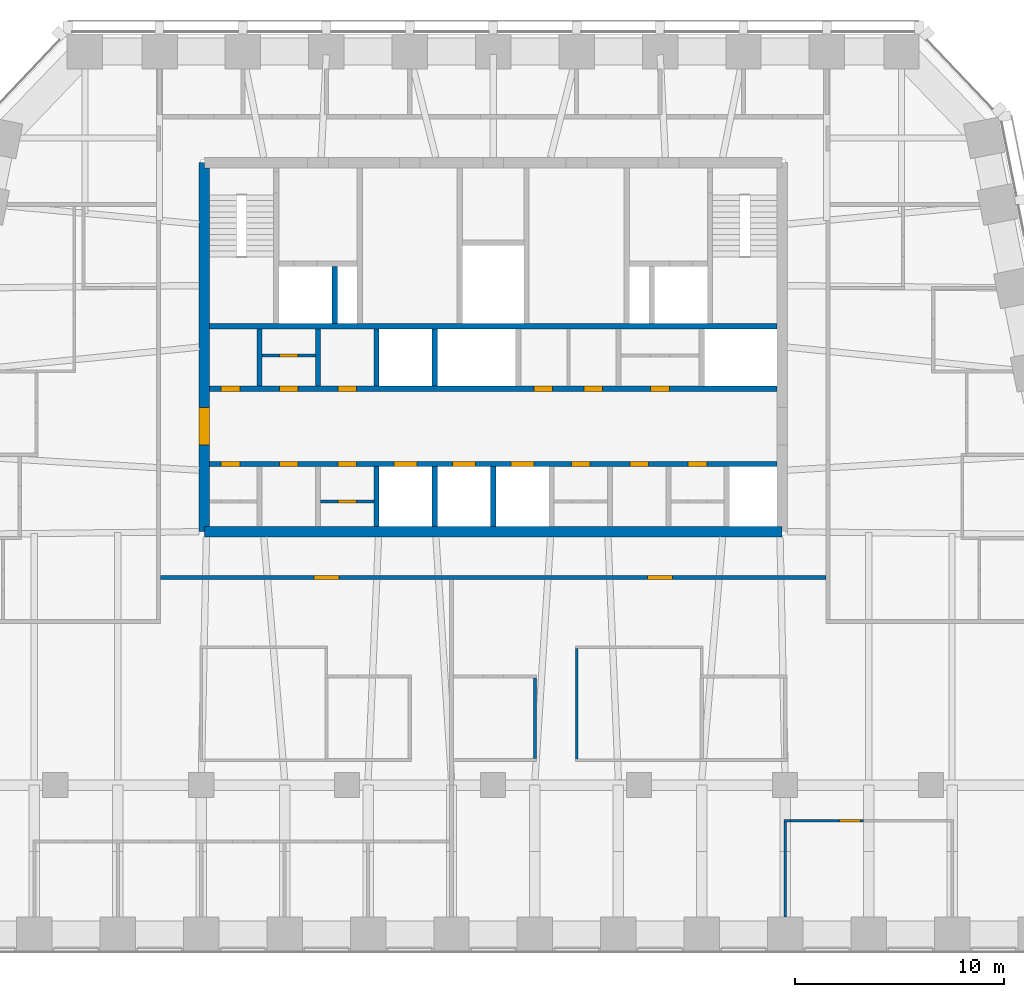
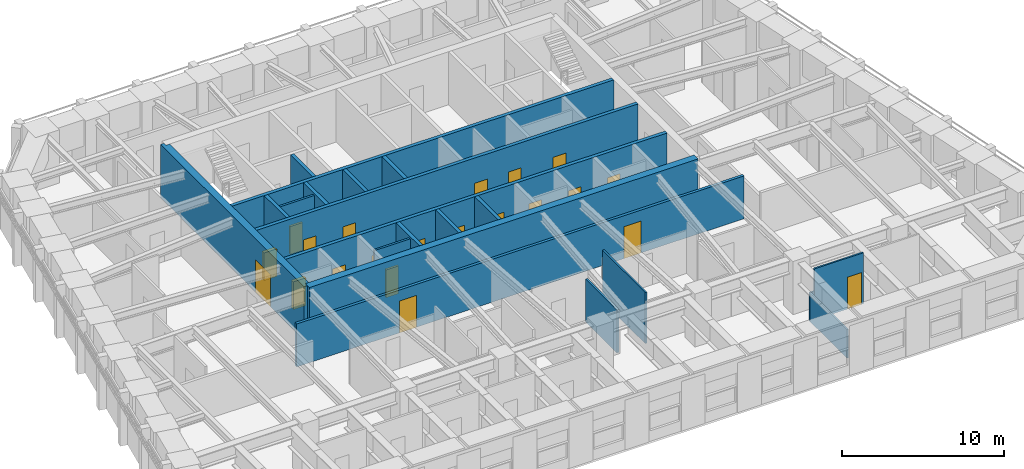
# One storey, part 7 of 11: 21 doors, 21 walls, 21 openings.
"""IFC4 building model written with IfcOpenShell, lengths in metres."""

from ifc_helpers import new_model, si_unit, direction, frame, frame_2d, origin, place, context, subcontext, project, spatial, polyline, rectangle, outline, extrude, material, layer, layer_set, type_object, element, fill, save


model = new_model("IFC4")

# Units and contexts
model_context = context("Model", 3, precision=1e-05, world=origin(), true_north=direction((0.0, 1.0)))
body_context = subcontext(model_context, "Body", "Model", "MODEL_VIEW")
ifc_project = project(units=[si_unit("LENGTHUNIT", "METRE"), si_unit("AREAUNIT", "SQUARE_METRE"), si_unit("VOLUMEUNIT", "CUBIC_METRE"), si_unit("PLANEANGLEUNIT", "RADIAN"), si_unit("MASSUNIT", "GRAM", prefix="KILO")], contexts=[model_context])

# Site, building, storey
site_placement = place(None, origin())
site = spatial("IfcSite", under=ifc_project, at=site_placement, CompositionType="ELEMENT")
building_placement = place(site_placement, origin())
building = spatial("IfcBuilding", under=site, at=building_placement, Name="Isbrekke Arena Tower", CompositionType="ELEMENT")
storey_placement = place(building_placement, frame((0.0, 0.0, 268.0)))
storey = spatial("IfcBuildingStorey", under=building, at=storey_placement, Name="L62", CompositionType="ELEMENT", Elevation=268.0)

# Wall
ifc_material_1 = material(Name="Concrete B55 (C55/67)", Category="concrete")
ifc_layer_1 = layer(ifc_material_1, 0.5)
ifc_layer_set_1 = layer_set([ifc_layer_1], Name="CW5 CORE WALL 500")
wall_type_1 = type_object("IfcWallType", Name="CW5 CORE WALL 500", PredefinedType="SHEAR", material=ifc_layer_set_1)
wall_1_placement = place(storey_placement, frame((-13.85009765625, 6.14990234375, 0.0), z_axis=(0.0, 0.0, 1.0), x_axis=(1.0, 0.0, 0.0)))
element("IfcWall", 1, at=wall_1_placement, inside=storey, type_object=wall_type_1, Name="Core wall S L62", PredefinedType="SHEAR", context=body_context, shape_type="SweptSolid", body=[
    extrude(rectangle(XDim=27.7001953125, YDim=0.5, at=frame_2d((13.85009765625, 0.0))), origin(), (0.0, 0.0, 1.0), 4.0),
])

# Wall, opening, door
wall_2_placement = place(storey_placement, frame((-13.85009765625, 23.85009765625, 0.0), z_axis=(0.0, 0.0, 1.0), x_axis=(0.0, -1.0, 0.0)))
wall_2 = element("IfcWall", 2, at=wall_2_placement, inside=storey, type_object=wall_type_1, Name="Core wall W L62", PredefinedType="SHEAR", context=body_context, shape_type="SweptSolid", body=[
    extrude(outline(polyline([(0.0, -0.25), (17.7001953125, -0.25), (17.7001953125, 0.0), (17.4501953125, 0.0), (17.4501953125, 0.25), (0.25, 0.25), (0.25, 0.0), (0.0, 0.0), (0.0, -0.25)])), origin(), (0.0, 0.0, 1.0), 4.0),
])
opening_1_placement = place(wall_2_placement, frame((11.75, 0.0, 0.0)))
opening_1 = element("IfcOpeningElement", 3, at=opening_1_placement, cuts=wall_2, Name="Opening D1", PredefinedType="OPENING", context=body_context, shape_type="SweptSolid", body=[
    extrude(rectangle(XDim=1.800048828125, YDim=2.39990234375, at=frame_2d((0.89990234375, 1.199951171875))), frame((0.0, 0.264892578125, 0.0), z_axis=(0.0, -1.0, 0.0), x_axis=(1.0, 0.0, 0.0)), (0.0, 0.0, 1.0), 0.52978515625),
])
ifc_material_2 = material(Name="Steel-framed glazed fire door", Category="steel")
door_type_1 = type_object("IfcDoorType", Name="D1 CORE LOBBY DOOR 1800 x 2400", OperationType="DOUBLE_DOOR_SINGLE_SWING", PredefinedType="DOOR", material=ifc_material_2)
door_1_placement = place(opening_1_placement, origin())
door_1 = element("IfcDoor", 4, at=door_1_placement, inside=storey, type_object=door_type_1, Name="D1 lift lobby door west L62", OperationType="DOUBLE_DOOR_SINGLE_SWING", OverallHeight=2.39990234375, OverallWidth=1.800048828125, PredefinedType="DOOR", context=body_context, shape_type="SweptSolid", body=[
    extrude(rectangle(XDim=1.800048828125, YDim=2.39990234375, at=frame_2d((0.89990234375, 1.199951171875))), frame((0.0, 0.249755859375, 0.0), z_axis=(0.0, -1.0, 0.0), x_axis=(1.0, 0.0, 0.0)), (0.0, 0.0, 1.0), 0.49951171875),
])
fill(opening_1, door_1)

# Wall, openings, doors
ifc_material_3 = material(Name="Concrete B45 (C45/55)", Category="concrete")
ifc_layer_2 = layer(ifc_material_3, 0.25)
ifc_layer_set_2 = layer_set([ifc_layer_2], Name="CW6 SHAFT WALL 250")
wall_type_2 = type_object("IfcWallType", Name="CW6 SHAFT WALL 250", PredefinedType="SHEAR", material=ifc_layer_set_2)
wall_3_placement = place(storey_placement, frame((-13.60009765625, 9.39990234375, 0.0), z_axis=(0.0, 0.0, 1.0), x_axis=(1.0, 0.0, 0.0)))
wall_3 = element("IfcWall", 5, at=wall_3_placement, inside=storey, type_object=wall_type_2, Name="Core wall LS L62", PredefinedType="SHEAR", context=body_context, shape_type="SweptSolid", body=[
    extrude(rectangle(XDim=27.2001953125, YDim=0.25, at=frame_2d((13.60009765625, 0.0))), origin(), (0.0, 0.0, 1.0), 4.0),
])
opening_2_placement = place(wall_3_placement, frame((8.85009765625, 0.0, 0.0)))
opening_2 = element("IfcOpeningElement", 6, at=opening_2_placement, cuts=wall_3, Name="Opening LD1", PredefinedType="OPENING", context=body_context, shape_type="SweptSolid", body=[
    extrude(rectangle(XDim=1.10009765625, YDim=2.10009765625, at=frame_2d((0.550048828125, 1.050048828125))), frame((0.0, 0.139892578125, 0.0), z_axis=(0.0, -1.0, 0.0), x_axis=(1.0, 0.0, 0.0)), (0.0, 0.0, 1.0), 0.27978515625),
])
opening_3_placement = place(wall_3_placement, frame((11.64990234375, 0.0, 0.0)))
opening_3 = element("IfcOpeningElement", 7, at=opening_3_placement, cuts=wall_3, Name="Opening LD1", PredefinedType="OPENING", context=body_context, shape_type="SweptSolid", body=[
    extrude(rectangle(XDim=1.10009765625, YDim=2.10009765625, at=frame_2d((0.550048828125, 1.050048828125))), frame((0.0, 0.139892578125, 0.0), z_axis=(0.0, -1.0, 0.0), x_axis=(1.0, 0.0, 0.0)), (0.0, 0.0, 1.0), 0.27978515625),
])
opening_4_placement = place(wall_3_placement, frame((14.449951171875, 0.0, 0.0)))
opening_4 = element("IfcOpeningElement", 8, at=opening_4_placement, cuts=wall_3, Name="Opening LD1", PredefinedType="OPENING", context=body_context, shape_type="SweptSolid", body=[
    extrude(rectangle(XDim=1.10009765625, YDim=2.10009765625, at=frame_2d((0.550048828125, 1.050048828125))), frame((0.0, 0.139892578125, 0.0), z_axis=(0.0, -1.0, 0.0), x_axis=(1.0, 0.0, 0.0)), (0.0, 0.0, 1.0), 0.27978515625),
])
opening_5_placement = place(wall_3_placement, frame((0.550048828125, 0.0, 0.0)))
opening_5 = element("IfcOpeningElement", 9, at=opening_5_placement, cuts=wall_3, Name="Opening D5", PredefinedType="OPENING", context=body_context, shape_type="SweptSolid", body=[
    extrude(rectangle(XDim=0.89990234375, YDim=2.10009765625, at=frame_2d((0.449951171875, 1.050048828125))), frame((0.0, 0.139892578125, 0.0), z_axis=(0.0, -1.0, 0.0), x_axis=(1.0, 0.0, 0.0)), (0.0, 0.0, 1.0), 0.27978515625),
])
opening_6_placement = place(wall_3_placement, frame((3.35009765625, 0.0, 0.0)))
opening_6 = element("IfcOpeningElement", 10, at=opening_6_placement, cuts=wall_3, Name="Opening D5", PredefinedType="OPENING", context=body_context, shape_type="SweptSolid", body=[
    extrude(rectangle(XDim=0.89990234375, YDim=2.10009765625, at=frame_2d((0.449951171875, 1.050048828125))), frame((0.0, 0.139892578125, 0.0), z_axis=(0.0, -1.0, 0.0), x_axis=(1.0, 0.0, 0.0)), (0.0, 0.0, 1.0), 0.27978515625),
])
opening_7_placement = place(wall_3_placement, frame((6.14990234375, 0.0, 0.0)))
opening_7 = element("IfcOpeningElement", 11, at=opening_7_placement, cuts=wall_3, Name="Opening D5", PredefinedType="OPENING", context=body_context, shape_type="SweptSolid", body=[
    extrude(rectangle(XDim=0.89990234375, YDim=2.10009765625, at=frame_2d((0.449951171875, 1.050048828125))), frame((0.0, 0.139892578125, 0.0), z_axis=(0.0, -1.0, 0.0), x_axis=(1.0, 0.0, 0.0)), (0.0, 0.0, 1.0), 0.27978515625),
])
opening_8_placement = place(wall_3_placement, frame((17.35009765625, 0.0, 0.0)))
opening_8 = element("IfcOpeningElement", 12, at=opening_8_placement, cuts=wall_3, Name="Opening D5", PredefinedType="OPENING", context=body_context, shape_type="SweptSolid", body=[
    extrude(rectangle(XDim=0.89990234375, YDim=2.10009765625, at=frame_2d((0.449951171875, 1.050048828125))), frame((0.0, 0.139892578125, 0.0), z_axis=(0.0, -1.0, 0.0), x_axis=(1.0, 0.0, 0.0)), (0.0, 0.0, 1.0), 0.27978515625),
])
opening_9_placement = place(wall_3_placement, frame((20.14990234375, 0.0, 0.0)))
opening_9 = element("IfcOpeningElement", 13, at=opening_9_placement, cuts=wall_3, Name="Opening D5", PredefinedType="OPENING", context=body_context, shape_type="SweptSolid", body=[
    extrude(rectangle(XDim=0.89990234375, YDim=2.10009765625, at=frame_2d((0.449951171875, 1.050048828125))), frame((0.0, 0.139892578125, 0.0), z_axis=(0.0, -1.0, 0.0), x_axis=(1.0, 0.0, 0.0)), (0.0, 0.0, 1.0), 0.27978515625),
])
opening_10_placement = place(wall_3_placement, frame((22.949951171875, 0.0, 0.0)))
opening_10 = element("IfcOpeningElement", 14, at=opening_10_placement, cuts=wall_3, Name="Opening D5", PredefinedType="OPENING", context=body_context, shape_type="SweptSolid", body=[
    extrude(rectangle(XDim=0.89990234375, YDim=2.10009765625, at=frame_2d((0.449951171875, 1.050048828125))), frame((0.0, 0.139892578125, 0.0), z_axis=(0.0, -1.0, 0.0), x_axis=(1.0, 0.0, 0.0)), (0.0, 0.0, 1.0), 0.27978515625),
])
ifc_material_4 = material(Name="Steel fire door", Category="steel")
door_type_2 = type_object("IfcDoorType", Name="D5 SERVICE DOOR 900 x 2100", OperationType="SINGLE_SWING_LEFT", PredefinedType="DOOR", material=ifc_material_4)
door_2_placement = place(opening_5_placement, origin())
door_2 = element("IfcDoor", 15, at=door_2_placement, inside=storey, type_object=door_type_2, Name="D5 print room door L62", OperationType="SINGLE_SWING_LEFT", OverallHeight=2.10009765625, OverallWidth=0.89990234375, PredefinedType="DOOR", context=body_context, shape_type="SweptSolid", body=[
    extrude(rectangle(XDim=0.89990234375, YDim=2.10009765625, at=frame_2d((0.449951171875, 1.050048828125))), frame((0.0, 0.124755859375, 0.0), z_axis=(0.0, -1.0, 0.0), x_axis=(1.0, 0.0, 0.0)), (0.0, 0.0, 1.0), 0.24951171875),
])
fill(opening_5, door_2)
door_3_placement = place(opening_6_placement, origin())
door_3 = element("IfcDoor", 16, at=door_3_placement, inside=storey, type_object=door_type_2, Name="D5 tenant store door L62", OperationType="SINGLE_SWING_LEFT", OverallHeight=2.10009765625, OverallWidth=0.89990234375, PredefinedType="DOOR", context=body_context, shape_type="SweptSolid", body=[
    extrude(rectangle(XDim=0.89990234375, YDim=2.10009765625, at=frame_2d((0.449951171875, 1.050048828125))), frame((0.0, 0.124755859375, 0.0), z_axis=(0.0, -1.0, 0.0), x_axis=(1.0, 0.0, 0.0)), (0.0, 0.0, 1.0), 0.24951171875),
])
fill(opening_6, door_3)
door_4_placement = place(opening_7_placement, origin())
door_4 = element("IfcDoor", 17, at=door_4_placement, inside=storey, type_object=door_type_2, Name="D5 tea point door L62", OperationType="SINGLE_SWING_LEFT", OverallHeight=2.10009765625, OverallWidth=0.89990234375, PredefinedType="DOOR", context=body_context, shape_type="SweptSolid", body=[
    extrude(rectangle(XDim=0.89990234375, YDim=2.10009765625, at=frame_2d((0.449951171875, 1.050048828125))), frame((0.0, 0.124755859375, 0.0), z_axis=(0.0, -1.0, 0.0), x_axis=(1.0, 0.0, 0.0)), (0.0, 0.0, 1.0), 0.24951171875),
])
fill(opening_7, door_4)
door_5_placement = place(opening_8_placement, origin())
door_5 = element("IfcDoor", 18, at=door_5_placement, inside=storey, type_object=door_type_2, Name="D5 pantry door L62", OperationType="SINGLE_SWING_LEFT", OverallHeight=2.10009765625, OverallWidth=0.89990234375, PredefinedType="DOOR", context=body_context, shape_type="SweptSolid", body=[
    extrude(rectangle(XDim=0.89990234375, YDim=2.10009765625, at=frame_2d((0.449951171875, 1.050048828125))), frame((0.0, 0.124755859375, 0.0), z_axis=(0.0, -1.0, 0.0), x_axis=(1.0, 0.0, 0.0)), (0.0, 0.0, 1.0), 0.24951171875),
])
fill(opening_8, door_5)
door_6_placement = place(opening_9_placement, origin())
door_6 = element("IfcDoor", 19, at=door_6_placement, inside=storey, type_object=door_type_2, Name="D5 print room door L62", OperationType="SINGLE_SWING_LEFT", OverallHeight=2.10009765625, OverallWidth=0.89990234375, PredefinedType="DOOR", context=body_context, shape_type="SweptSolid", body=[
    extrude(rectangle(XDim=0.89990234375, YDim=2.10009765625, at=frame_2d((0.449951171875, 1.050048828125))), frame((0.0, 0.124755859375, 0.0), z_axis=(0.0, -1.0, 0.0), x_axis=(1.0, 0.0, 0.0)), (0.0, 0.0, 1.0), 0.24951171875),
])
fill(opening_9, door_6)
door_7_placement = place(opening_10_placement, origin())
door_7 = element("IfcDoor", 20, at=door_7_placement, inside=storey, type_object=door_type_2, Name="D5 first-aid room door L62", OperationType="SINGLE_SWING_LEFT", OverallHeight=2.10009765625, OverallWidth=0.89990234375, PredefinedType="DOOR", context=body_context, shape_type="SweptSolid", body=[
    extrude(rectangle(XDim=0.89990234375, YDim=2.10009765625, at=frame_2d((0.449951171875, 1.050048828125))), frame((0.0, 0.124755859375, 0.0), z_axis=(0.0, -1.0, 0.0), x_axis=(1.0, 0.0, 0.0)), (0.0, 0.0, 1.0), 0.24951171875),
])
fill(opening_10, door_7)
ifc_material_5 = material(Name="Stainless steel lift landing door", Category="steel")
door_type_3 = type_object("IfcDoorType", Name="LD1 LIFT LANDING DOOR 1100 x 2100", OperationType="SLIDING_TO_LEFT", PredefinedType="DOOR", material=ifc_material_5)
door_8_placement = place(opening_2_placement, origin())
door_8 = element("IfcDoor", 21, at=door_8_placement, inside=storey, type_object=door_type_3, Name="LD1 lift landing door LE L62", OperationType="SLIDING_TO_LEFT", OverallHeight=2.10009765625, OverallWidth=1.10009765625, PredefinedType="DOOR", context=body_context, shape_type="SweptSolid", body=[
    extrude(rectangle(XDim=1.10009765625, YDim=2.10009765625, at=frame_2d((0.550048828125, 1.050048828125))), frame((0.0, 0.124755859375, 0.0), z_axis=(0.0, -1.0, 0.0), x_axis=(1.0, 0.0, 0.0)), (0.0, 0.0, 1.0), 0.24951171875),
])
fill(opening_2, door_8)
door_9_placement = place(opening_3_placement, origin())
door_9 = element("IfcDoor", 22, at=door_9_placement, inside=storey, type_object=door_type_3, Name="LD1 lift landing door LE L62", OperationType="SLIDING_TO_LEFT", OverallHeight=2.10009765625, OverallWidth=1.10009765625, PredefinedType="DOOR", context=body_context, shape_type="SweptSolid", body=[
    extrude(rectangle(XDim=1.10009765625, YDim=2.10009765625, at=frame_2d((0.550048828125, 1.050048828125))), frame((0.0, 0.124755859375, 0.0), z_axis=(0.0, -1.0, 0.0), x_axis=(1.0, 0.0, 0.0)), (0.0, 0.0, 1.0), 0.24951171875),
])
fill(opening_3, door_9)
door_10_placement = place(opening_4_placement, origin())
door_10 = element("IfcDoor", 23, at=door_10_placement, inside=storey, type_object=door_type_3, Name="LD1 lift landing door LE L62", OperationType="SLIDING_TO_LEFT", OverallHeight=2.10009765625, OverallWidth=1.10009765625, PredefinedType="DOOR", context=body_context, shape_type="SweptSolid", body=[
    extrude(rectangle(XDim=1.10009765625, YDim=2.10009765625, at=frame_2d((0.550048828125, 1.050048828125))), frame((0.0, 0.124755859375, 0.0), z_axis=(0.0, -1.0, 0.0), x_axis=(1.0, 0.0, 0.0)), (0.0, 0.0, 1.0), 0.24951171875),
])
fill(opening_4, door_10)

wall_4_placement = place(storey_placement, frame((-13.60009765625, 13.0, 0.0), z_axis=(0.0, 0.0, 1.0), x_axis=(1.0, 0.0, 0.0)))
wall_4 = element("IfcWall", 24, at=wall_4_placement, inside=storey, type_object=wall_type_2, Name="Core wall LN L62", PredefinedType="SHEAR", context=body_context, shape_type="SweptSolid", body=[
    extrude(rectangle(XDim=27.2001953125, YDim=0.25, at=frame_2d((13.60009765625, 0.0))), origin(), (0.0, 0.0, 1.0), 4.0),
])
opening_11_placement = place(wall_4_placement, frame((15.550048828125, 0.0, 0.0)))
opening_11 = element("IfcOpeningElement", 25, at=opening_11_placement, cuts=wall_4, Name="Opening D5", PredefinedType="OPENING", context=body_context, shape_type="SweptSolid", body=[
    extrude(rectangle(XDim=0.89990234375, YDim=2.10009765625, at=frame_2d((0.449951171875, 1.050048828125))), frame((0.0, 0.139892578125, 0.0), z_axis=(0.0, -1.0, 0.0), x_axis=(1.0, 0.0, 0.0)), (0.0, 0.0, 1.0), 0.27978515625),
])
opening_12_placement = place(wall_4_placement, frame((17.949951171875, 0.0, 0.0)))
opening_12 = element("IfcOpeningElement", 26, at=opening_12_placement, cuts=wall_4, Name="Opening D5", PredefinedType="OPENING", context=body_context, shape_type="SweptSolid", body=[
    extrude(rectangle(XDim=0.89990234375, YDim=2.10009765625, at=frame_2d((0.449951171875, 1.050048828125))), frame((0.0, 0.139892578125, 0.0), z_axis=(0.0, -1.0, 0.0), x_axis=(1.0, 0.0, 0.0)), (0.0, 0.0, 1.0), 0.27978515625),
])
opening_13_placement = place(wall_4_placement, frame((21.14990234375, 0.0, 0.0)))
opening_13 = element("IfcOpeningElement", 27, at=opening_13_placement, cuts=wall_4, Name="Opening D5", PredefinedType="OPENING", context=body_context, shape_type="SweptSolid", body=[
    extrude(rectangle(XDim=0.89990234375, YDim=2.10009765625, at=frame_2d((0.449951171875, 1.050048828125))), frame((0.0, 0.139892578125, 0.0), z_axis=(0.0, -1.0, 0.0), x_axis=(1.0, 0.0, 0.0)), (0.0, 0.0, 1.0), 0.27978515625),
])
opening_14_placement = place(wall_4_placement, frame((0.550048828125, 0.0, 0.0)))
opening_14 = element("IfcOpeningElement", 28, at=opening_14_placement, cuts=wall_4, Name="Opening D5", PredefinedType="OPENING", context=body_context, shape_type="SweptSolid", body=[
    extrude(rectangle(XDim=0.89990234375, YDim=2.10009765625, at=frame_2d((0.449951171875, 1.050048828125))), frame((0.0, 0.139892578125, 0.0), z_axis=(0.0, -1.0, 0.0), x_axis=(1.0, 0.0, 0.0)), (0.0, 0.0, 1.0), 0.27978515625),
])
opening_15_placement = place(wall_4_placement, frame((3.35009765625, 0.0, 0.0)))
opening_15 = element("IfcOpeningElement", 29, at=opening_15_placement, cuts=wall_4, Name="Opening D5", PredefinedType="OPENING", context=body_context, shape_type="SweptSolid", body=[
    extrude(rectangle(XDim=0.89990234375, YDim=2.10009765625, at=frame_2d((0.449951171875, 1.050048828125))), frame((0.0, 0.139892578125, 0.0), z_axis=(0.0, -1.0, 0.0), x_axis=(1.0, 0.0, 0.0)), (0.0, 0.0, 1.0), 0.27978515625),
])
opening_16_placement = place(wall_4_placement, frame((6.14990234375, 0.0, 0.0)))
opening_16 = element("IfcOpeningElement", 30, at=opening_16_placement, cuts=wall_4, Name="Opening D5", PredefinedType="OPENING", context=body_context, shape_type="SweptSolid", body=[
    extrude(rectangle(XDim=0.89990234375, YDim=2.10009765625, at=frame_2d((0.449951171875, 1.050048828125))), frame((0.0, 0.139892578125, 0.0), z_axis=(0.0, -1.0, 0.0), x_axis=(1.0, 0.0, 0.0)), (0.0, 0.0, 1.0), 0.27978515625),
])
door_11_placement = place(opening_11_placement, origin())
door_11 = element("IfcDoor", 31, at=door_11_placement, inside=storey, type_object=door_type_2, Name="D5 cleaner's store door L62", OperationType="SINGLE_SWING_LEFT", OverallHeight=2.10009765625, OverallWidth=0.89990234375, PredefinedType="DOOR", context=body_context, shape_type="SweptSolid", body=[
    extrude(rectangle(XDim=0.89990234375, YDim=2.10009765625, at=frame_2d((0.449951171875, 1.050048828125))), frame((0.0, 0.124755859375, 0.0), z_axis=(0.0, -1.0, 0.0), x_axis=(1.0, 0.0, 0.0)), (0.0, 0.0, 1.0), 0.24951171875),
])
fill(opening_11, door_11)
door_12_placement = place(opening_12_placement, origin())
door_12 = element("IfcDoor", 32, at=door_12_placement, inside=storey, type_object=door_type_2, Name="D5 first-aid room door L62", OperationType="SINGLE_SWING_LEFT", OverallHeight=2.10009765625, OverallWidth=0.89990234375, PredefinedType="DOOR", context=body_context, shape_type="SweptSolid", body=[
    extrude(rectangle(XDim=0.89990234375, YDim=2.10009765625, at=frame_2d((0.449951171875, 1.050048828125))), frame((0.0, 0.124755859375, 0.0), z_axis=(0.0, -1.0, 0.0), x_axis=(1.0, 0.0, 0.0)), (0.0, 0.0, 1.0), 0.24951171875),
])
fill(opening_12, door_12)
door_13_placement = place(opening_13_placement, origin())
door_13 = element("IfcDoor", 33, at=door_13_placement, inside=storey, type_object=door_type_2, Name="D5 communications room door L62", OperationType="SINGLE_SWING_LEFT", OverallHeight=2.10009765625, OverallWidth=0.89990234375, PredefinedType="DOOR", context=body_context, shape_type="SweptSolid", body=[
    extrude(rectangle(XDim=0.89990234375, YDim=2.10009765625, at=frame_2d((0.449951171875, 1.050048828125))), frame((0.0, 0.124755859375, 0.0), z_axis=(0.0, -1.0, 0.0), x_axis=(1.0, 0.0, 0.0)), (0.0, 0.0, 1.0), 0.24951171875),
])
fill(opening_13, door_13)
door_14_placement = place(opening_14_placement, origin())
door_14 = element("IfcDoor", 34, at=door_14_placement, inside=storey, type_object=door_type_2, Name="D5 archive door L62", OperationType="SINGLE_SWING_LEFT", OverallHeight=2.10009765625, OverallWidth=0.89990234375, PredefinedType="DOOR", context=body_context, shape_type="SweptSolid", body=[
    extrude(rectangle(XDim=0.89990234375, YDim=2.10009765625, at=frame_2d((0.449951171875, 1.050048828125))), frame((0.0, 0.124755859375, 0.0), z_axis=(0.0, -1.0, 0.0), x_axis=(1.0, 0.0, 0.0)), (0.0, 0.0, 1.0), 0.24951171875),
])
fill(opening_14, door_14)
door_15_placement = place(opening_15_placement, origin())
door_15 = element("IfcDoor", 35, at=door_15_placement, inside=storey, type_object=door_type_2, Name="D5 tea point door L62", OperationType="SINGLE_SWING_LEFT", OverallHeight=2.10009765625, OverallWidth=0.89990234375, PredefinedType="DOOR", context=body_context, shape_type="SweptSolid", body=[
    extrude(rectangle(XDim=0.89990234375, YDim=2.10009765625, at=frame_2d((0.449951171875, 1.050048828125))), frame((0.0, 0.124755859375, 0.0), z_axis=(0.0, -1.0, 0.0), x_axis=(1.0, 0.0, 0.0)), (0.0, 0.0, 1.0), 0.24951171875),
])
fill(opening_15, door_15)
door_16_placement = place(opening_16_placement, origin())
door_16 = element("IfcDoor", 36, at=door_16_placement, inside=storey, type_object=door_type_2, Name="D5 technical room door L62", OperationType="SINGLE_SWING_LEFT", OverallHeight=2.10009765625, OverallWidth=0.89990234375, PredefinedType="DOOR", context=body_context, shape_type="SweptSolid", body=[
    extrude(rectangle(XDim=0.89990234375, YDim=2.10009765625, at=frame_2d((0.449951171875, 1.050048828125))), frame((0.0, 0.124755859375, 0.0), z_axis=(0.0, -1.0, 0.0), x_axis=(1.0, 0.0, 0.0)), (0.0, 0.0, 1.0), 0.24951171875),
])
fill(opening_16, door_16)

# Walls
wall_5_placement = place(storey_placement, frame((-13.60009765625, 16.0, 0.0), z_axis=(0.0, 0.0, 1.0), x_axis=(1.0, 0.0, 0.0)))
element("IfcWall", 37, at=wall_5_placement, inside=storey, type_object=wall_type_2, Name="Core wall NB L62", PredefinedType="SHEAR", context=body_context, shape_type="SweptSolid", body=[
    extrude(rectangle(XDim=27.2001953125, YDim=0.25, at=frame_2d((13.60009765625, 0.0))), origin(), (0.0, 0.0, 1.0), 4.0),
])
for number, where, z_axis, x_axis, name in (
    (38, (-5.60009765625, 6.39990234375, 0.0), (0.0, 0.0, 1.0), (0.0, 1.0, 0.0), "Core wall SS03 L62"),
    (39, (-2.800048828125, 6.39990234375, 0.0), (0.0, 0.0, 1.0), (0.0, 1.0, 0.0), "Core wall SS04 L62"),
    (40, (0.0, 6.39990234375, 0.0), (0.0, 0.0, 1.0), (0.0, 1.0, 0.0), "Core wall SS05 L62"),
):
    element("IfcWall", number, at=place(storey_placement, frame(where, z_axis=z_axis, x_axis=x_axis)), inside=storey, type_object=wall_type_2, Name=name, PredefinedType="SHEAR", context=body_context, shape_type="SweptSolid", body=[
        extrude(rectangle(XDim=2.875, YDim=0.25, at=frame_2d((1.4375, 0.0))), origin(), (0.0, 0.0, 1.0), 4.0),
    ])
for number, where, z_axis, x_axis, name in (
    (41, (-11.199951171875, 13.125, 0.0), (0.0, 0.0, 1.0), (0.0, 1.0, 0.0), "Core wall SN01 L62"),
    (42, (-8.39990234375, 13.125, 0.0), (0.0, 0.0, 1.0), (0.0, 1.0, 0.0), "Core wall SN02 L62"),
    (43, (-5.60009765625, 13.125, 0.0), (0.0, 0.0, 1.0), (0.0, 1.0, 0.0), "Core wall SN03 L62"),
    (44, (-2.800048828125, 13.125, 0.0), (0.0, 0.0, 1.0), (0.0, 1.0, 0.0), "Core wall SN04 L62"),
    (45, (-7.60009765625, 16.125, 0.0), (0.0, 0.0, 1.0), (0.0, 1.0, 0.0), "Core wall NFS1 L62"),
):
    element("IfcWall", number, at=place(storey_placement, frame(where, z_axis=z_axis, x_axis=x_axis)), inside=storey, type_object=wall_type_2, Name=name, PredefinedType="SHEAR", context=body_context, shape_type="SweptSolid", body=[
        extrude(rectangle(XDim=2.75, YDim=0.25, at=frame_2d((1.375, 0.0))), origin(), (0.0, 0.0, 1.0), 4.0),
    ])
ifc_material_6 = material(Name="Gypsum board partition on steel studs", Category="steel")
ifc_layer_3 = layer(ifc_material_6, 0.14990234375)
ifc_layer_set_3 = layer_set([ifc_layer_3], Name="IW1 PARTITION 150")
wall_type_3 = type_object("IfcWallType", Name="IW1 PARTITION 150", PredefinedType="PARTITIONING", material=ifc_layer_set_3)
wall_6_placement = place(storey_placement, frame((2.0, -4.72509765625, 0.0), z_axis=(0.0, 0.0, 1.0), x_axis=(0.0, 1.0, 0.0)))
element("IfcWall", 46, at=wall_6_placement, inside=storey, type_object=wall_type_3, Name="IW1 partition 150 L62", PredefinedType="PARTITIONING", context=body_context, shape_type="SweptSolid", body=[
    extrude(rectangle(XDim=3.85009765625, YDim=0.14990234375, at=frame_2d((1.925048828125, 0.0))), origin(), (0.0, 0.0, 1.0), 3.22998046875),
])
ifc_material_7 = material(Name="Frameless glazed partition, laminated acoustic glass", Category="glass")
ifc_layer_4 = layer(ifc_material_7, 0.1201171875)
ifc_layer_set_4 = layer_set([ifc_layer_4], Name="IW2 GLAZED PARTITION 120")
wall_type_4 = type_object("IfcWallType", Name="IW2 GLAZED PARTITION 120", PredefinedType="PARTITIONING", material=ifc_layer_set_4)
wall_7_placement = place(storey_placement, frame((13.93994140625, -7.699951171875, 0.0), z_axis=(0.0, 0.0, 1.0), x_axis=(1.0, 0.0, 0.0)))
element("IfcWall", 47, at=wall_7_placement, inside=storey, type_object=wall_type_4, Name="IW2 glazed partition 120 L62", PredefinedType="PARTITIONING", context=body_context, shape_type="SweptSolid", body=[
    extrude(rectangle(XDim=0.31005859375, YDim=0.1201171875, at=frame_2d((0.155029296875, 0.0))), origin(), (0.0, 0.0, 1.0), 2.14990234375),
])

# Wall, opening, door
wall_8_placement = place(storey_placement, frame((14.25, -7.699951171875, 0.0), z_axis=(0.0, 0.0, 1.0), x_axis=(1.0, 0.0, 0.0)))
wall_8 = element("IfcWall", 48, at=wall_8_placement, inside=storey, type_object=wall_type_4, Name="IW2 glazed partition 120 L62", PredefinedType="PARTITIONING", context=body_context, shape_type="SweptSolid", body=[
    extrude(rectangle(XDim=3.5, YDim=0.1201171875, at=frame_2d((1.75, 0.0))), origin(), (0.0, 0.0, 1.0), 3.85009765625),
])
opening_17_placement = place(wall_8_placement, frame((2.35009765625, 0.0, 0.0)))
opening_17 = element("IfcOpeningElement", 49, at=opening_17_placement, cuts=wall_8, Name="Opening D11", PredefinedType="OPENING", context=body_context, shape_type="SweptSolid", body=[
    extrude(rectangle(XDim=1.0, YDim=2.39990234375, at=frame_2d((0.5, 1.199951171875))), frame((0.0, 0.074951171875, 0.0), z_axis=(0.0, -1.0, 0.0), x_axis=(1.0, 0.0, 0.0)), (0.0, 0.0, 1.0), 0.14990234375),
])
ifc_material_8 = material(Name="Frameless glazed door", Category="glass")
door_type_4 = type_object("IfcDoorType", Name="D11 GLAZED MEETING ROOM DOOR 1000 x 2400", OperationType="SINGLE_SWING_RIGHT", PredefinedType="DOOR", material=ifc_material_8)
door_17_placement = place(opening_17_placement, origin())
door_17 = element("IfcDoor", 50, at=door_17_placement, inside=storey, type_object=door_type_4, Name="D11 project room door L62", OperationType="SINGLE_SWING_RIGHT", OverallHeight=2.39990234375, OverallWidth=1.0, PredefinedType="DOOR", context=body_context, shape_type="SweptSolid", body=[
    extrude(rectangle(XDim=1.0, YDim=2.39990234375, at=frame_2d((0.5, 1.199951171875))), frame((0.0, 0.059814453125, 0.0), z_axis=(0.0, -1.0, 0.0), x_axis=(1.0, 0.0, 0.0)), (0.0, 0.0, 1.0), 0.11962890625),
])
fill(opening_17, door_17)

# Walls
wall_9_placement = place(storey_placement, frame((4.0, -4.739990234375, 0.0), z_axis=(0.0, 0.0, 1.0), x_axis=(0.0, 1.0, 0.0)))
element("IfcWall", 51, at=wall_9_placement, inside=storey, type_object=wall_type_4, Name="IW2 glazed partition 120 L62", PredefinedType="PARTITIONING", context=body_context, shape_type="SweptSolid", body=[
    extrude(rectangle(XDim=5.280029296875, YDim=0.1201171875, at=frame_2d((2.64013671875, 0.0))), origin(), (0.0, 0.0, 1.0), 3.85009765625),
])
wall_10_placement = place(storey_placement, frame((14.0, -12.324951171875, 0.0), z_axis=(0.0, 0.0, 1.0), x_axis=(0.0, 1.0, 0.0)))
element("IfcWall", 52, at=wall_10_placement, inside=storey, type_object=wall_type_4, Name="IW2 glazed partition 120 L62", PredefinedType="PARTITIONING", context=body_context, shape_type="SweptSolid", body=[
    extrude(rectangle(XDim=4.56494140625, YDim=0.1201171875, at=frame_2d((2.282470703125, 0.0))), origin(), (0.0, 0.0, 1.0), 2.14990234375),
])

# Wall, openings, doors
ifc_material_9 = material(Name="Gypsum board fire-cell wall on steel studs, two layers each side", Category="steel")
ifc_layer_5 = layer(ifc_material_9, 0.199951171875)
ifc_layer_set_5 = layer_set([ifc_layer_5], Name="IW3 FIRE-CELL WALL 200")
wall_type_5 = type_object("IfcWallType", Name="IW3 FIRE-CELL WALL 200", PredefinedType="PARTITIONING", material=ifc_layer_set_5)
wall_11_placement = place(storey_placement, frame((-15.949951171875, 3.949951171875, 0.0), z_axis=(0.0, 0.0, 1.0), x_axis=(1.0, 0.0, 0.0)))
wall_11 = element("IfcWall", 53, at=wall_11_placement, inside=storey, type_object=wall_type_5, Name="IW3 fire-cell wall 200 L62", PredefinedType="PARTITIONING", context=body_context, shape_type="SweptSolid", body=[
    extrude(rectangle(XDim=31.89990234375, YDim=0.199951171875, at=frame_2d((15.949951171875, 0.0))), origin(), (0.0, 0.0, 1.0), 3.22998046875),
])
opening_18_placement = place(wall_11_placement, frame((7.35009765625, 0.0, 0.0)))
opening_18 = element("IfcOpeningElement", 54, at=opening_18_placement, cuts=wall_11, Name="Opening D12", PredefinedType="OPENING", context=body_context, shape_type="SweptSolid", body=[
    extrude(rectangle(XDim=1.199951171875, YDim=2.39990234375, at=frame_2d((0.60009765625, 1.199951171875))), frame((0.0, 0.11474609375, 0.0), z_axis=(0.0, -1.0, 0.0), x_axis=(1.0, 0.0, 0.0)), (0.0, 0.0, 1.0), 0.229736328125),
])
opening_19_placement = place(wall_11_placement, frame((23.35009765625, 0.0, 0.0)))
opening_19 = element("IfcOpeningElement", 55, at=opening_19_placement, cuts=wall_11, Name="Opening D12", PredefinedType="OPENING", context=body_context, shape_type="SweptSolid", body=[
    extrude(rectangle(XDim=1.199951171875, YDim=2.39990234375, at=frame_2d((0.60009765625, 1.199951171875))), frame((0.0, 0.11474609375, 0.0), z_axis=(0.0, -1.0, 0.0), x_axis=(1.0, 0.0, 0.0)), (0.0, 0.0, 1.0), 0.229736328125),
])
ifc_material_10 = material(Name="Timber fire door with vision panel", Category="wood")
door_type_5 = type_object("IfcDoorType", Name="D12 SUITE ENTRANCE DOOR 1200 x 2400", OperationType="SINGLE_SWING_LEFT", PredefinedType="DOOR", material=ifc_material_10)
door_18_placement = place(opening_18_placement, origin())
door_18 = element("IfcDoor", 56, at=door_18_placement, inside=storey, type_object=door_type_5, Name="D12 suite entrance SW door L62", OperationType="SINGLE_SWING_LEFT", OverallHeight=2.39990234375, OverallWidth=1.199951171875, PredefinedType="DOOR", context=body_context, shape_type="SweptSolid", body=[
    extrude(rectangle(XDim=1.199951171875, YDim=2.39990234375, at=frame_2d((0.60009765625, 1.199951171875))), frame((0.0, 0.099609375, 0.0), z_axis=(0.0, -1.0, 0.0), x_axis=(1.0, 0.0, 0.0)), (0.0, 0.0, 1.0), 0.199462890625),
])
fill(opening_18, door_18)
door_19_placement = place(opening_19_placement, origin())
door_19 = element("IfcDoor", 57, at=door_19_placement, inside=storey, type_object=door_type_5, Name="D12 suite entrance SE door L62", OperationType="SINGLE_SWING_LEFT", OverallHeight=2.39990234375, OverallWidth=1.199951171875, PredefinedType="DOOR", context=body_context, shape_type="SweptSolid", body=[
    extrude(rectangle(XDim=1.199951171875, YDim=2.39990234375, at=frame_2d((0.60009765625, 1.199951171875))), frame((0.0, 0.099609375, 0.0), z_axis=(0.0, -1.0, 0.0), x_axis=(1.0, 0.0, 0.0)), (0.0, 0.0, 1.0), 0.199462890625),
])
fill(opening_19, door_19)

# Wall, opening, door
ifc_material_11 = material(Name="Gypsum board fire-rated partition on steel studs, two layers each side", Category="steel")
ifc_layer_6 = layer(ifc_material_11, 0.14990234375)
ifc_layer_set_6 = layer_set([ifc_layer_6], Name="IW5 FIRE-RATED PARTITION 150")
wall_type_6 = type_object("IfcWallType", Name="IW5 FIRE-RATED PARTITION 150", PredefinedType="PARTITIONING", material=ifc_layer_set_6)
wall_12_placement = place(storey_placement, frame((-11.074951171875, 14.60009765625, 0.0), z_axis=(0.0, 0.0, 1.0), x_axis=(1.0, 0.0, 0.0)))
wall_12 = element("IfcWall", 58, at=wall_12_placement, inside=storey, type_object=wall_type_6, Name="IW5 fire-rated partition L62 core service rooms 3", PredefinedType="PARTITIONING", context=body_context, shape_type="SweptSolid", body=[
    extrude(rectangle(XDim=2.550048828125, YDim=0.14990234375, at=frame_2d((1.27490234375, 0.0))), origin(), (0.0, 0.0, 1.0), 3.85009765625),
])
opening_20_placement = place(wall_12_placement, frame((0.824951171875, 0.0, 0.0)))
opening_20 = element("IfcOpeningElement", 59, at=opening_20_placement, cuts=wall_12, Name="Opening D5", PredefinedType="OPENING", context=body_context, shape_type="SweptSolid", body=[
    extrude(rectangle(XDim=0.89990234375, YDim=2.10009765625, at=frame_2d((0.449951171875, 1.050048828125))), frame((0.0, 0.08984375, 0.0), z_axis=(0.0, -1.0, 0.0), x_axis=(1.0, 0.0, 0.0)), (0.0, 0.0, 1.0), 0.1796875),
])
door_20_placement = place(opening_20_placement, origin())
door_20 = element("IfcDoor", 60, at=door_20_placement, inside=storey, type_object=door_type_2, Name="D5 archive door L62", OperationType="SINGLE_SWING_LEFT", OverallHeight=2.10009765625, OverallWidth=0.89990234375, PredefinedType="DOOR", context=body_context, shape_type="SweptSolid", body=[
    extrude(rectangle(XDim=0.89990234375, YDim=2.10009765625, at=frame_2d((0.449951171875, 1.050048828125))), frame((0.0, 0.07470703125, 0.0), z_axis=(0.0, -1.0, 0.0), x_axis=(1.0, 0.0, 0.0)), (0.0, 0.0, 1.0), 0.1494140625),
])
fill(opening_20, door_20)

wall_13_placement = place(storey_placement, frame((-8.27490234375, 7.60009765625, 0.0), z_axis=(0.0, 0.0, 1.0), x_axis=(1.0, 0.0, 0.0)))
wall_13 = element("IfcWall", 61, at=wall_13_placement, inside=storey, type_object=wall_type_6, Name="IW5 fire-rated partition L62 core service rooms 5", PredefinedType="PARTITIONING", context=body_context, shape_type="SweptSolid", body=[
    extrude(rectangle(XDim=2.5498046875, YDim=0.14990234375, at=frame_2d((1.27490234375, 0.0))), origin(), (0.0, 0.0, 1.0), 3.85009765625),
])
opening_21_placement = place(wall_13_placement, frame((0.824951171875, 0.0, 0.0)))
opening_21 = element("IfcOpeningElement", 62, at=opening_21_placement, cuts=wall_13, Name="Opening D5", PredefinedType="OPENING", context=body_context, shape_type="SweptSolid", body=[
    extrude(rectangle(XDim=0.89990234375, YDim=2.10009765625, at=frame_2d((0.449951171875, 1.050048828125))), frame((0.0, 0.08984375, 0.0), z_axis=(0.0, -1.0, 0.0), x_axis=(1.0, 0.0, 0.0)), (0.0, 0.0, 1.0), 0.1796875),
])
door_21_placement = place(opening_21_placement, origin())
door_21 = element("IfcDoor", 63, at=door_21_placement, inside=storey, type_object=door_type_2, Name="D5 store door L62", OperationType="SINGLE_SWING_LEFT", OverallHeight=2.10009765625, OverallWidth=0.89990234375, PredefinedType="DOOR", context=body_context, shape_type="SweptSolid", body=[
    extrude(rectangle(XDim=0.89990234375, YDim=2.10009765625, at=frame_2d((0.449951171875, 1.050048828125))), frame((0.0, 0.07470703125, 0.0), z_axis=(0.0, -1.0, 0.0), x_axis=(1.0, 0.0, 0.0)), (0.0, 0.0, 1.0), 0.1494140625),
])
fill(opening_21, door_21)

save(model, "model.ifc")
